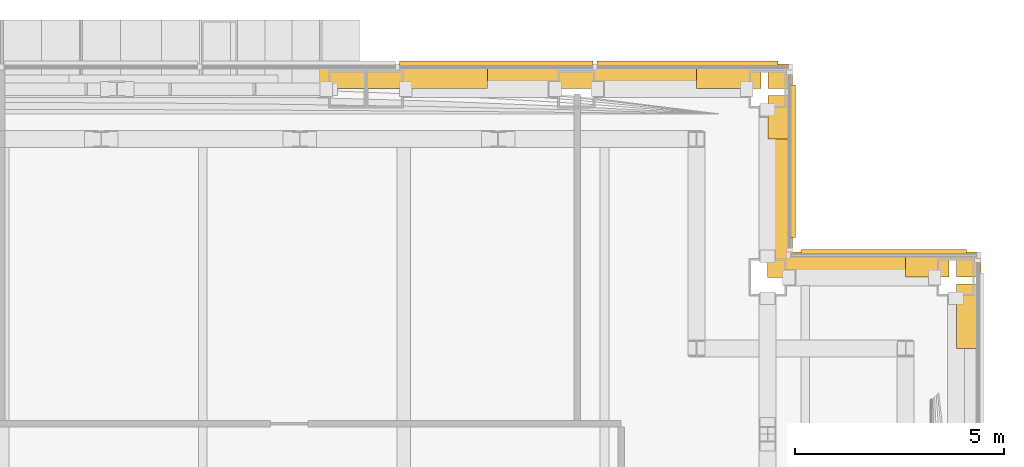
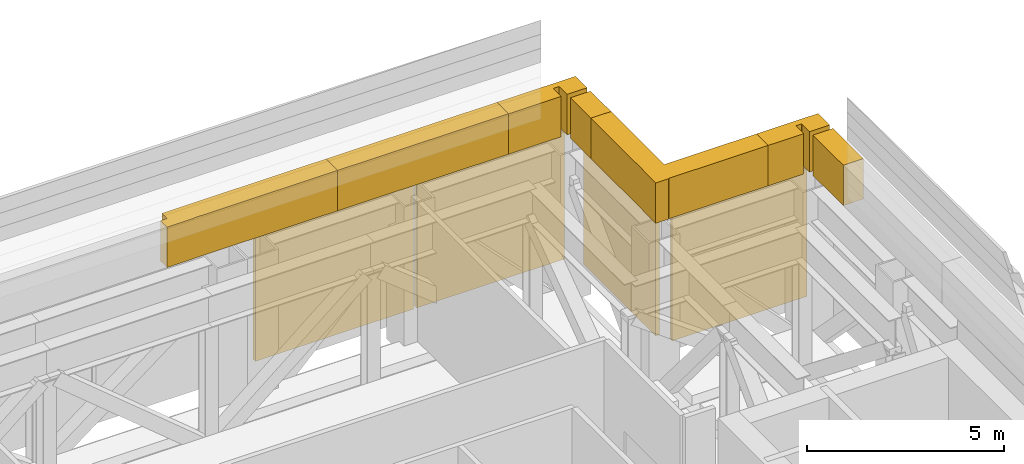
# One storey, part 38 of 38: 11 coverings.
"""IFC4 building model written with IfcOpenShell, lengths in metres."""

from ifc_helpers import new_model, si_unit, direction, frame, origin, origin_2d, place, context, subcontext, project, spatial, polyline, rectangle, outline, extrude, material, type_object, element, save


model = new_model("IFC4")

# Units and contexts
model_context = context("Model", 3, precision=1e-05, world=origin(), true_north=direction((0.0, 1.0)))
body_context = subcontext(model_context, "Body", "Model", "MODEL_VIEW")
ifc_project = project(units=[si_unit("LENGTHUNIT", "METRE"), si_unit("AREAUNIT", "SQUARE_METRE"), si_unit("VOLUMEUNIT", "CUBIC_METRE"), si_unit("PLANEANGLEUNIT", "RADIAN"), si_unit("MASSUNIT", "GRAM", prefix="KILO")], contexts=[model_context])

# Site, building, storey
site_placement = place(None, origin())
site = spatial("IfcSite", under=ifc_project, at=site_placement, CompositionType="ELEMENT")
building_placement = place(site_placement, origin())
building = spatial("IfcBuilding", under=site, at=building_placement, Name="Cobrizo Arcos Hotel Tower", CompositionType="ELEMENT")
storey_placement = place(building_placement, frame((0.0, 0.0, 138.0)))
storey = spatial("IfcBuildingStorey", under=building, at=storey_placement, Name="L35", CompositionType="ELEMENT", Elevation=138.0)

# Coverings
ifc_material_1 = material(Name="Aluminium 6063-T6 anodised pale", Category="aluminium")
covering_type_1 = type_object("IfcCoveringType", Name="LF-1 setback skirt", PredefinedType="CLADDING", material=ifc_material_1)
covering_1_placement = place(storey_placement, frame((0.0, 0.0, 4.5)))
element("IfcCovering", 1, at=covering_1_placement, inside=storey, type_object=covering_type_1, Name="Setback skirt L35", PredefinedType="CLADDING", context=body_context, shape_type="SweptSolid", body=[
    extrude(outline(polyline([(6.800048828125, 23.130615234375), (6.60009765625, 23.130615234375), (6.60009765625, 22.800048828125), (7.397216796875, 22.800048828125), (7.408447265625, 22.808349609375), (7.4091796875, 22.808837890625), (7.41015625, 22.80908203125), (7.4111328125, 22.8095703125), (7.412109375, 22.809814453125), (7.4130859375, 22.81005859375), (7.4140625, 22.81005859375), (11.60009765625, 22.81005859375), (11.60009765625, 23.39990234375), (6.800048828125, 23.39990234375), (6.800048828125, 23.130615234375)])), origin(), (0.0, 0.0, 1.0), 1.25),
])
covering_2_placement = place(storey_placement, frame((0.0, 0.0, 4.5)))
element("IfcCovering", 2, at=covering_2_placement, inside=storey, type_object=covering_type_1, Name="Setback skirt L35", PredefinedType="CLADDING", context=body_context, shape_type="SweptSolid", body=[
    extrude(outline(polyline([(16.60009765625, 23.39990234375), (11.60009765625, 23.39990234375), (11.60009765625, 22.81005859375), (16.60009765625, 22.81005859375), (16.60009765625, 23.39990234375)])), origin(), (0.0, 0.0, 1.0), 1.25),
])
covering_3_placement = place(storey_placement, frame((0.0, 0.0, 4.5)))
element("IfcCovering", 3, at=covering_3_placement, inside=storey, type_object=covering_type_1, Name="Setback skirt L35", PredefinedType="CLADDING", context=body_context, shape_type="SweptSolid", body=[
    extrude(outline(polyline([(18.308349609375, 18.9443359375), (18.300048828125, 18.93310546875), (18.300048828125, 18.300048828125), (18.68310546875, 18.300048828125), (18.6943359375, 18.308349609375), (18.6953125, 18.308837890625), (18.6962890625, 18.30908203125), (18.697021484375, 18.3095703125), (18.697998046875, 18.309814453125), (18.698974609375, 18.31005859375), (18.699951171875, 18.31005859375), (21.60009765625, 18.31005859375), (21.60009765625, 18.89990234375), (18.89990234375, 18.89990234375), (18.89990234375, 21.60009765625), (18.31005859375, 21.60009765625), (18.31005859375, 18.949951171875), (18.31005859375, 18.948974609375), (18.309814453125, 18.947998046875), (18.3095703125, 18.947021484375), (18.30908203125, 18.9462890625), (18.308837890625, 18.9453125), (18.308349609375, 18.9443359375)])), origin(), (0.0, 0.0, 1.0), 1.25),
])
covering_4_placement = place(storey_placement, frame((0.0, 0.0, 4.5)))
element("IfcCovering", 4, at=covering_4_placement, inside=storey, type_object=covering_type_1, Name="Setback skirt L35", PredefinedType="CLADDING", context=body_context, shape_type="SweptSolid", body=[
    extrude(outline(polyline([(18.31005859375, 22.639892578125), (18.31005859375, 21.60009765625), (18.89990234375, 21.60009765625), (18.89990234375, 22.639892578125), (18.31005859375, 22.639892578125)])), origin(), (0.0, 0.0, 1.0), 1.25),
])
covering_5_placement = place(storey_placement, frame((0.0, 0.0, 4.5)))
element("IfcCovering", 5, at=covering_5_placement, inside=storey, type_object=covering_type_1, Name="Setback skirt L35", PredefinedType="CLADDING", context=body_context, shape_type="SweptSolid", body=[
    extrude(outline(polyline([(18.89990234375, 23.39990234375), (16.60009765625, 23.39990234375), (16.60009765625, 22.81005859375), (18.139892578125, 22.81005859375), (18.139892578125, 23.199951171875), (18.139892578125, 23.200927734375), (18.14013671875, 23.201904296875), (18.140380859375, 23.202880859375), (18.140869140625, 23.203857421875), (18.14111328125, 23.20458984375), (18.1416015625, 23.20556640625), (18.142333984375, 23.206298828125), (18.142822265625, 23.20703125), (18.143798828125, 23.207763671875), (18.144287109375, 23.208251953125), (18.145263671875, 23.208740234375), (18.146240234375, 23.209228515625), (18.147216796875, 23.209716796875), (18.14794921875, 23.209716796875), (18.14892578125, 23.2099609375), (18.14990234375, 23.2099609375), (18.300048828125, 23.2099609375), (18.301025390625, 23.2099609375), (18.302001953125, 23.209716796875), (18.302978515625, 23.209716796875), (18.3037109375, 23.209228515625), (18.3046875, 23.208740234375), (18.3056640625, 23.208251953125), (18.306396484375, 23.207763671875), (18.30712890625, 23.20703125), (18.3076171875, 23.206298828125), (18.308349609375, 23.20556640625), (18.308837890625, 23.20458984375), (18.30908203125, 23.203857421875), (18.3095703125, 23.202880859375), (18.309814453125, 23.201904296875), (18.31005859375, 23.200927734375), (18.31005859375, 23.199951171875), (18.31005859375, 22.81005859375), (18.89990234375, 22.81005859375), (18.89990234375, 23.39990234375)])), origin(), (0.0, 0.0, 1.0), 1.25),
])
covering_6_placement = place(storey_placement, frame((0.0, 0.0, 4.5)))
element("IfcCovering", 6, at=covering_6_placement, inside=storey, type_object=covering_type_1, Name="Setback skirt L35", PredefinedType="CLADDING", context=body_context, shape_type="SweptSolid", body=[
    extrude(outline(polyline([(23.39990234375, 18.89990234375), (21.60009765625, 18.89990234375), (21.60009765625, 18.31005859375), (22.639892578125, 18.31005859375), (22.639892578125, 18.699951171875), (22.639892578125, 18.700927734375), (22.64013671875, 18.701904296875), (22.640380859375, 18.702880859375), (22.640869140625, 18.703857421875), (22.64111328125, 18.70458984375), (22.6416015625, 18.70556640625), (22.642333984375, 18.706298828125), (22.642822265625, 18.70703125), (22.643798828125, 18.707763671875), (22.644287109375, 18.708251953125), (22.645263671875, 18.708740234375), (22.646240234375, 18.709228515625), (22.647216796875, 18.709716796875), (22.64794921875, 18.709716796875), (22.64892578125, 18.7099609375), (22.64990234375, 18.7099609375), (22.800048828125, 18.7099609375), (22.801025390625, 18.7099609375), (22.802001953125, 18.709716796875), (22.802978515625, 18.709716796875), (22.8037109375, 18.709228515625), (22.8046875, 18.708740234375), (22.8056640625, 18.708251953125), (22.806396484375, 18.707763671875), (22.80712890625, 18.70703125), (22.8076171875, 18.706298828125), (22.808349609375, 18.70556640625), (22.808837890625, 18.70458984375), (22.80908203125, 18.703857421875), (22.8095703125, 18.702880859375), (22.809814453125, 18.701904296875), (22.81005859375, 18.700927734375), (22.81005859375, 18.699951171875), (22.81005859375, 18.31005859375), (23.39990234375, 18.31005859375), (23.39990234375, 18.89990234375)])), origin(), (0.0, 0.0, 1.0), 1.25),
])
covering_7_placement = place(storey_placement, frame((0.0, 0.0, 4.5)))
element("IfcCovering", 7, at=covering_7_placement, inside=storey, type_object=covering_type_1, Name="Setback skirt L35", PredefinedType="CLADDING", context=body_context, shape_type="SweptSolid", body=[
    extrude(outline(polyline([(22.81005859375, 18.139892578125), (22.81005859375, 16.60009765625), (23.39990234375, 16.60009765625), (23.39990234375, 18.139892578125), (22.81005859375, 18.139892578125)])), origin(), (0.0, 0.0, 1.0), 1.25),
])
ifc_material_2 = material(Name="Aluminium 6063-T6 anodised bronze", Category="aluminium")
covering_type_2 = type_object("IfcCoveringType", Name="LV-1 plant louvre band", PredefinedType="CLADDING", material=ifc_material_2)
covering_8_placement = place(storey_placement, frame((21.074951171875, 18.905029296875, 0.25), z_axis=(0.0, 0.0, 1.0), x_axis=(-1.0, 0.0, 0.0)))
element("IfcCovering", 8, at=covering_8_placement, inside=storey, type_object=covering_type_2, Name="louvre band 1289", PredefinedType="CLADDING", context=body_context, shape_type="SweptSolid", body=[
    extrude(rectangle(XDim=3.949951171875, YDim=0.1201171875, at=origin_2d()), origin(), (0.0, 0.0, 1.0), 4.0),
])
covering_9_placement = place(storey_placement, frame((18.905029296875, 21.074951171875, 0.25), z_axis=(0.0, 0.0, 1.0), x_axis=(0.0, 1.0, 0.0)))
element("IfcCovering", 9, at=covering_9_placement, inside=storey, type_object=covering_type_2, Name="louvre band 1290", PredefinedType="CLADDING", context=body_context, shape_type="SweptSolid", body=[
    extrude(rectangle(XDim=3.64990234375, YDim=0.1201171875, at=origin_2d()), origin(), (0.0, 0.0, 1.0), 4.0),
])
covering_10_placement = place(storey_placement, frame((16.387451171875, 23.405029296875, 0.25), z_axis=(0.0, 0.0, 1.0), x_axis=(-1.0, 0.0, 0.0)))
element("IfcCovering", 10, at=covering_10_placement, inside=storey, type_object=covering_type_2, Name="louvre band 1291", PredefinedType="CLADDING", context=body_context, shape_type="SweptSolid", body=[
    extrude(rectangle(XDim=4.324951171875, YDim=0.1201171875, at=origin_2d()), origin(), (0.0, 0.0, 1.0), 4.0),
])
covering_11_placement = place(storey_placement, frame((11.8125, 23.405029296875, 0.25), z_axis=(0.0, 0.0, 1.0), x_axis=(-1.0, 0.0, 0.0)))
element("IfcCovering", 11, at=covering_11_placement, inside=storey, type_object=covering_type_2, Name="louvre band 1292", PredefinedType="CLADDING", context=body_context, shape_type="SweptSolid", body=[
    extrude(rectangle(XDim=4.625, YDim=0.1201171875, at=origin_2d()), origin(), (0.0, 0.0, 1.0), 4.0),
])

save(model, "model.ifc")
